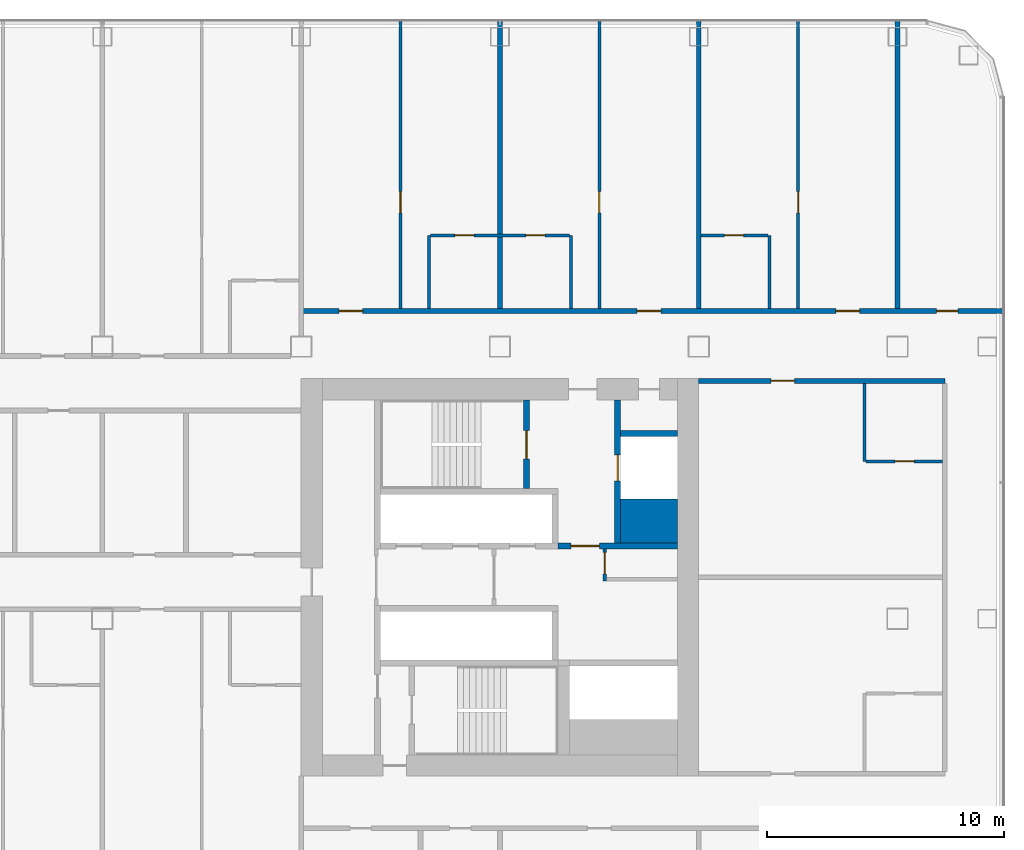
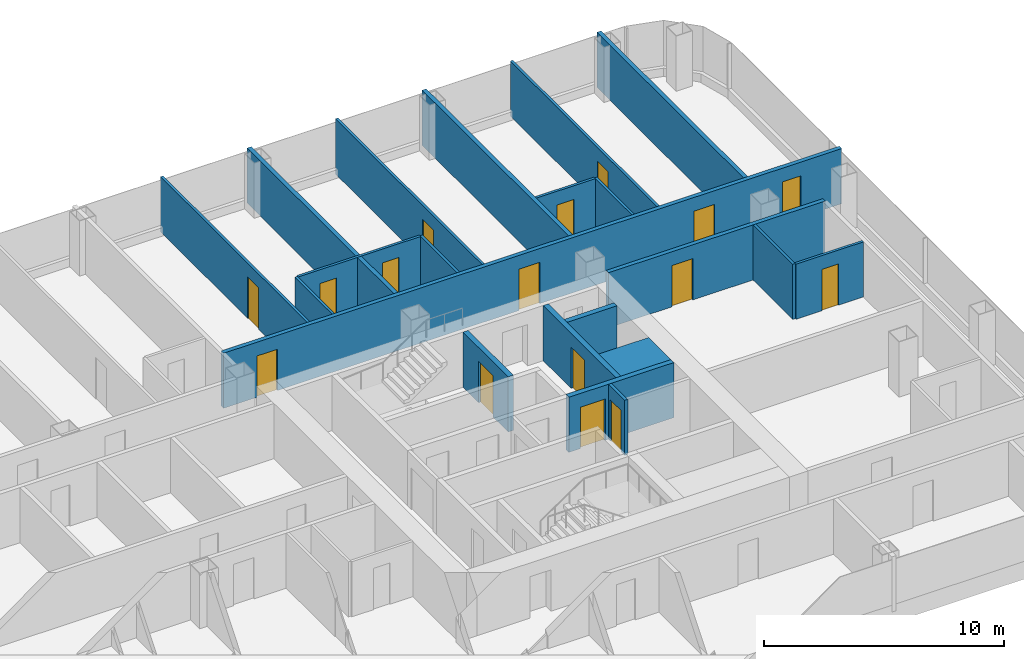
# One storey, part 20 of 29: 21 walls, 16 doors, 16 openings.
"""IFC4 building model written with IfcOpenShell, lengths in metres."""

from ifc_helpers import new_model, si_unit, direction, frame, frame_2d, origin, place, context, subcontext, project, spatial, rectangle, extrude, material, layer, layer_set, type_object, element, fill, save


model = new_model("IFC4")

# Units and contexts
model_context = context("Model", 3, precision=1e-05, world=origin(), true_north=direction((0.0, 1.0)))
body_context = subcontext(model_context, "Body", "Model", "MODEL_VIEW")
ifc_project = project(units=[si_unit("LENGTHUNIT", "METRE"), si_unit("AREAUNIT", "SQUARE_METRE"), si_unit("VOLUMEUNIT", "CUBIC_METRE"), si_unit("PLANEANGLEUNIT", "RADIAN"), si_unit("MASSUNIT", "GRAM", prefix="KILO")], contexts=[model_context])

# Site, building, storey
site_placement = place(None, origin())
site = spatial("IfcSite", under=ifc_project, at=site_placement, CompositionType="ELEMENT")
building_placement = place(site_placement, origin())
building = spatial("IfcBuilding", under=site, at=building_placement, Name="Hakoniwa Tower and Hamabe Station Hall", CompositionType="ELEMENT")
storey_placement = place(building_placement, frame((0.0, 0.0, 104.199951171875)))
storey = spatial("IfcBuildingStorey", under=building, at=storey_placement, Name="L29", CompositionType="ELEMENT", Elevation=104.199951171875)

# Wall, opening, door
ifc_material_1 = material(Name="Gypsum board partition", Category="gypsum")
ifc_layer_1 = layer(ifc_material_1, 0.125)
ifc_layer_set_1 = layer_set([ifc_layer_1], Name="Bathroom Partition 125")
wall_type_1 = type_object("IfcWallType", Name="Bathroom Partition 125", PredefinedType="PARTITIONING", material=ifc_layer_set_1)
wall_1_placement = place(storey_placement, frame((40.66259765625, 4.89990234375, 0.0), z_axis=(0.0, 0.0, 1.0), x_axis=(1.0, 0.0, 0.0)))
wall_1 = element("IfcWall", 1, at=wall_1_placement, inside=storey, type_object=wall_type_1, Name="GW-L29-016", PredefinedType="PARTITIONING", context=body_context, shape_type="SweptSolid", body=[
    extrude(rectangle(XDim=3.2373046875, YDim=0.125, at=frame_2d((1.61865234375, 0.0))), origin(), (0.0, 0.0, 1.0), 2.800048828125),
])
opening_1_placement = place(wall_1_placement, frame((1.237548828125, 0.0, 0.0)))
opening_1 = element("IfcOpeningElement", 2, at=opening_1_placement, cuts=wall_1, Name="Opening GD-G2E1-29", PredefinedType="OPENING", context=body_context, shape_type="SweptSolid", body=[
    extrude(rectangle(XDim=0.800048828125, YDim=2.10009765625, at=frame_2d((0.39990234375, 1.050048828125))), frame((0.0, 0.072509765625, 0.0), z_axis=(0.0, -1.0, 0.0), x_axis=(1.0, 0.0, 0.0)), (0.0, 0.0, 1.0), 0.14501953125),
])
ifc_material_2 = material(Name="Timber door leaf", Category="wood")
door_type_1 = type_object("IfcDoorType", Name="Bathroom Door 800", OperationType="SINGLE_SWING_LEFT", PredefinedType="DOOR", material=ifc_material_2)
door_1_placement = place(opening_1_placement, origin())
door_1 = element("IfcDoor", 3, at=door_1_placement, inside=storey, type_object=door_type_1, Name="Door GD-G2E1-29", OperationType="SINGLE_SWING_RIGHT", OverallHeight=2.10009765625, OverallWidth=0.800048828125, PredefinedType="DOOR", context=body_context, shape_type="SweptSolid", body=[
    extrude(rectangle(XDim=0.800048828125, YDim=2.10009765625, at=frame_2d((0.39990234375, 1.050048828125))), frame((0.0, 0.02490234375, 0.0), z_axis=(0.0, -1.0, 0.0), x_axis=(1.0, 0.0, 0.0)), (0.0, 0.0, 1.0), 0.050048828125),
])
fill(opening_1, door_1)

# Wall, openings, doors
wall_2_placement = place(storey_placement, frame((22.262451171875, 14.449951171875, 0.0), z_axis=(0.0, 0.0, 1.0), x_axis=(1.0, 0.0, 0.0)))
wall_2 = element("IfcWall", 4, at=wall_2_placement, inside=storey, type_object=wall_type_1, Name="GW-L29-027", PredefinedType="PARTITIONING", context=body_context, shape_type="SweptSolid", body=[
    extrude(rectangle(XDim=5.875, YDim=0.125, at=frame_2d((2.9375, 0.0))), origin(), (0.0, 0.0, 1.0), 2.800048828125),
])
opening_2_placement = place(wall_2_placement, frame((1.03759765625, 0.0, 0.0)))
opening_2 = element("IfcOpeningElement", 5, at=opening_2_placement, cuts=wall_2, Name="Opening GD-G2E1-54", PredefinedType="OPENING", context=body_context, shape_type="SweptSolid", body=[
    extrude(rectangle(XDim=0.800048828125, YDim=2.10009765625, at=frame_2d((0.39990234375, 1.050048828125))), frame((0.0, 0.072509765625, 0.0), z_axis=(0.0, -1.0, 0.0), x_axis=(1.0, 0.0, 0.0)), (0.0, 0.0, 1.0), 0.14501953125),
])
opening_3_placement = place(wall_2_placement, frame((4.03759765625, 0.0, 0.0)))
opening_3 = element("IfcOpeningElement", 6, at=opening_3_placement, cuts=wall_2, Name="Opening GD-G2E1-55", PredefinedType="OPENING", context=body_context, shape_type="SweptSolid", body=[
    extrude(rectangle(XDim=0.800048828125, YDim=2.10009765625, at=frame_2d((0.39990234375, 1.050048828125))), frame((0.0, 0.072509765625, 0.0), z_axis=(0.0, -1.0, 0.0), x_axis=(1.0, 0.0, 0.0)), (0.0, 0.0, 1.0), 0.14501953125),
])
door_2_placement = place(opening_2_placement, origin())
door_2 = element("IfcDoor", 7, at=door_2_placement, inside=storey, type_object=door_type_1, Name="Door GD-G2E1-54", OperationType="SINGLE_SWING_LEFT", OverallHeight=2.10009765625, OverallWidth=0.800048828125, PredefinedType="DOOR", context=body_context, shape_type="SweptSolid", body=[
    extrude(rectangle(XDim=0.800048828125, YDim=2.10009765625, at=frame_2d((0.39990234375, 1.050048828125))), frame((0.0, 0.02490234375, 0.0), z_axis=(0.0, -1.0, 0.0), x_axis=(1.0, 0.0, 0.0)), (0.0, 0.0, 1.0), 0.050048828125),
])
fill(opening_2, door_2)
door_3_placement = place(opening_3_placement, origin())
door_3 = element("IfcDoor", 8, at=door_3_placement, inside=storey, type_object=door_type_1, Name="Door GD-G2E1-55", OperationType="SINGLE_SWING_RIGHT", OverallHeight=2.10009765625, OverallWidth=0.800048828125, PredefinedType="DOOR", context=body_context, shape_type="SweptSolid", body=[
    extrude(rectangle(XDim=0.800048828125, YDim=2.10009765625, at=frame_2d((0.39990234375, 1.050048828125))), frame((0.0, 0.02490234375, 0.0), z_axis=(0.0, -1.0, 0.0), x_axis=(1.0, 0.0, 0.0)), (0.0, 0.0, 1.0), 0.050048828125),
])
fill(opening_3, door_3)

# Wall, opening, door
wall_3_placement = place(storey_placement, frame((33.699951171875, 14.449951171875, 0.0), z_axis=(0.0, 0.0, 1.0), x_axis=(1.0, 0.0, 0.0)))
wall_3 = element("IfcWall", 9, at=wall_3_placement, inside=storey, type_object=wall_type_1, Name="GW-L29-028", PredefinedType="PARTITIONING", context=body_context, shape_type="SweptSolid", body=[
    extrude(rectangle(XDim=2.837646484375, YDim=0.125, at=frame_2d((1.4189453125, 0.0))), origin(), (0.0, 0.0, 1.0), 2.800048828125),
])
opening_4_placement = place(wall_3_placement, frame((1.0, 0.0, 0.0)))
opening_4 = element("IfcOpeningElement", 10, at=opening_4_placement, cuts=wall_3, Name="Opening GD-G2E1-56", PredefinedType="OPENING", context=body_context, shape_type="SweptSolid", body=[
    extrude(rectangle(XDim=0.800048828125, YDim=2.10009765625, at=frame_2d((0.39990234375, 1.050048828125))), frame((0.0, 0.072509765625, 0.0), z_axis=(0.0, -1.0, 0.0), x_axis=(1.0, 0.0, 0.0)), (0.0, 0.0, 1.0), 0.14501953125),
])
door_4_placement = place(opening_4_placement, origin())
door_4 = element("IfcDoor", 11, at=door_4_placement, inside=storey, type_object=door_type_1, Name="Door GD-G2E1-56", OperationType="SINGLE_SWING_LEFT", OverallHeight=2.10009765625, OverallWidth=0.800048828125, PredefinedType="DOOR", context=body_context, shape_type="SweptSolid", body=[
    extrude(rectangle(XDim=0.800048828125, YDim=2.10009765625, at=frame_2d((0.39990234375, 1.050048828125))), frame((0.0, 0.02490234375, 0.0), z_axis=(0.0, -1.0, 0.0), x_axis=(1.0, 0.0, 0.0)), (0.0, 0.0, 1.0), 0.050048828125),
])
fill(opening_4, door_4)

# Walls
for number, where, z_axis, x_axis, name in (
    (12, (22.199951171875, 11.35009765625, 0.0), (0.0, 0.0, 1.0), (0.0, 1.0, 0.0), "GW-L29-078"),
    (13, (28.199951171875, 11.35009765625, 0.0), (0.0, 0.0, 1.0), (0.0, 1.0, 0.0), "GW-L29-081"),
    (14, (36.60009765625, 11.35009765625, 0.0), (0.0, 0.0, 1.0), (0.0, 1.0, 0.0), "GW-L29-085"),
):
    element("IfcWall", number, at=place(storey_placement, frame(where, z_axis=z_axis, x_axis=x_axis)), inside=storey, type_object=wall_type_1, Name=name, PredefinedType="PARTITIONING", context=body_context, shape_type="SweptSolid", body=[
        extrude(rectangle(XDim=3.099853515625, YDim=0.125, at=frame_2d((1.5498046875, 0.0))), origin(), (0.0, 0.0, 1.0), 2.800048828125),
    ])
wall_4_placement = place(storey_placement, frame((40.60009765625, 4.89990234375, 0.0), z_axis=(0.0, 0.0, 1.0), x_axis=(0.0, 1.0, 0.0)))
element("IfcWall", 15, at=wall_4_placement, inside=storey, type_object=wall_type_1, Name="GW-L29-088", PredefinedType="PARTITIONING", context=body_context, shape_type="SweptSolid", body=[
    extrude(rectangle(XDim=3.300048828125, YDim=0.125, at=frame_2d((1.64990234375, 0.0))), origin(), (0.0, 0.0, 1.0), 2.800048828125),
])

# Wall, opening, door
ifc_material_3 = material(Name="Gypsum board partition")
ifc_layer_2 = layer(ifc_material_3, 0.14990234375)
ifc_layer_set_2 = layer_set([ifc_layer_2], Name="CORE PARTITION 150 EI 60")
wall_type_2 = type_object("IfcWallType", Name="CORE PARTITION 150 EI 60", PredefinedType="PARTITIONING", material=ifc_layer_set_2)
wall_5_placement = place(storey_placement, frame((29.625, -0.14990234375, 0.0), z_axis=(0.0, 0.0, 1.0), x_axis=(0.0, 1.0, 0.0)))
wall_5 = element("IfcWall", 16, at=wall_5_placement, inside=storey, type_object=wall_type_2, Name="Core partition PW0 east", PredefinedType="PARTITIONING", context=body_context, shape_type="SweptSolid", body=[
    extrude(rectangle(XDim=1.349853515625, YDim=0.14990234375, at=frame_2d((0.6748046875, 0.0))), origin(), (0.0, 0.0, 1.0), 2.800048828125),
])
opening_5_placement = place(wall_5_placement, frame((0.300048828125, 0.0, 0.0)))
opening_5 = element("IfcOpeningElement", 17, at=opening_5_placement, cuts=wall_5, Name="Opening CD-E-RM1-9", PredefinedType="OPENING", context=body_context, shape_type="SweptSolid", body=[
    extrude(rectangle(XDim=0.89990234375, YDim=2.10009765625, at=frame_2d((0.449951171875, 1.050048828125))), frame((0.0, 0.0849609375, 0.0), z_axis=(0.0, -1.0, 0.0), x_axis=(1.0, 0.0, 0.0)), (0.0, 0.0, 1.0), 0.169921875),
])
ifc_material_4 = material(Name="Steel fire door", Category="steel")
door_type_2 = type_object("IfcDoorType", Name="CORE DOOR 900 FD30", OperationType="NOTDEFINED", PredefinedType="DOOR", material=ifc_material_4)
door_5_placement = place(opening_5_placement, origin())
door_5 = element("IfcDoor", 18, at=door_5_placement, inside=storey, type_object=door_type_2, Name="Store room door", OperationType="SINGLE_SWING_LEFT", OverallHeight=2.10009765625, OverallWidth=0.89990234375, PredefinedType="DOOR", context=body_context, shape_type="SweptSolid", body=[
    extrude(rectangle(XDim=0.89990234375, YDim=2.10009765625, at=frame_2d((0.449951171875, 1.050048828125))), frame((0.0, 0.02490234375, 0.0), z_axis=(0.0, -1.0, 0.0), x_axis=(1.0, 0.0, 0.0)), (0.0, 0.0, 1.0), 0.050048828125),
])
fill(opening_5, door_5)

# Wall
ifc_material_5 = material(Name="Concrete C72", Category="concrete")
ifc_layer_3 = layer(ifc_material_5, 1.85009765625)
ifc_layer_set_3 = layer_set([ifc_layer_3], Name="CORE WEB WALL 1850 C72")
wall_type_3 = type_object("IfcWallType", Name="CORE WEB WALL 1850 C72", PredefinedType="SHEAR", material=ifc_layer_set_3)
wall_6_placement = place(storey_placement, frame((30.300048828125, 2.375, 0.0), z_axis=(0.0, 0.0, 1.0), x_axis=(1.0, 0.0, 0.0)))
element("IfcWall", 19, at=wall_6_placement, inside=storey, type_object=wall_type_3, Name="Core wall CA east", PredefinedType="SHEAR", context=body_context, shape_type="SweptSolid", body=[
    extrude(rectangle(XDim=2.39990234375, YDim=1.85009765625, at=frame_2d((1.199951171875, 0.0))), origin(), (0.0, 0.0, 1.0), 2.800048828125),
])

# Wall, opening, door
ifc_material_6 = material(Name="Concrete C72", Category="concrete")
ifc_layer_4 = layer(ifc_material_6, 0.25)
ifc_layer_set_4 = layer_set([ifc_layer_4], Name="CORE WEB WALL 250 C72")
wall_type_4 = type_object("IfcWallType", Name="CORE WEB WALL 250 C72", PredefinedType="SHEAR", material=ifc_layer_set_4)
wall_7_placement = place(storey_placement, frame((26.324951171875, 3.75, 0.0), z_axis=(0.0, 0.0, 1.0), x_axis=(0.0, 1.0, 0.0)))
wall_7 = element("IfcWall", 20, at=wall_7_placement, inside=storey, type_object=wall_type_4, Name="Core wall NSE east", PredefinedType="SHEAR", context=body_context, shape_type="SweptSolid", body=[
    extrude(rectangle(XDim=3.75, YDim=0.25, at=frame_2d((1.875, 0.0))), origin(), (0.0, 0.0, 1.0), 2.800048828125),
])
opening_6_placement = place(wall_7_placement, frame((1.25, 0.0, 0.0)))
opening_6 = element("IfcOpeningElement", 21, at=opening_6_placement, cuts=wall_7, Name="Opening CD-E-SN-12", PredefinedType="OPENING", context=body_context, shape_type="SweptSolid", body=[
    extrude(rectangle(XDim=1.199951171875, YDim=2.10009765625, at=frame_2d((0.60009765625, 1.050048828125))), frame((0.0, 0.135009765625, 0.0), z_axis=(0.0, -1.0, 0.0), x_axis=(1.0, 0.0, 0.0)), (0.0, 0.0, 1.0), 0.27001953125),
])
ifc_material_7 = material(Name="Steel fire door", Category="steel")
door_type_3 = type_object("IfcDoorType", Name="CORE DOOR 1200 FD60", OperationType="DOUBLE_DOOR_SINGLE_SWING", PredefinedType="DOOR", material=ifc_material_7)
door_6_placement = place(opening_6_placement, origin())
door_6 = element("IfcDoor", 22, at=door_6_placement, inside=storey, type_object=door_type_3, Name="Escape stair door", OperationType="DOUBLE_DOOR_SINGLE_SWING", OverallHeight=2.10009765625, OverallWidth=1.199951171875, PredefinedType="DOOR", context=body_context, shape_type="SweptSolid", body=[
    extrude(rectangle(XDim=1.199951171875, YDim=2.10009765625, at=frame_2d((0.60009765625, 1.050048828125))), frame((0.0, 0.02490234375, 0.0), z_axis=(0.0, -1.0, 0.0), x_axis=(1.0, 0.0, 0.0)), (0.0, 0.0, 1.0), 0.050048828125),
])
fill(opening_6, door_6)

wall_8_placement = place(storey_placement, frame((27.64990234375, 1.324951171875, 0.0), z_axis=(0.0, 0.0, 1.0), x_axis=(1.0, 0.0, 0.0)))
wall_8 = element("IfcWall", 23, at=wall_8_placement, inside=storey, type_object=wall_type_4, Name="Core wall ELN east", PredefinedType="SHEAR", context=body_context, shape_type="SweptSolid", body=[
    extrude(rectangle(XDim=5.050048828125, YDim=0.25, at=frame_2d((2.52490234375, 0.0))), origin(), (0.0, 0.0, 1.0), 2.800048828125),
])
opening_7_placement = place(wall_8_placement, frame((0.550048828125, 0.0, 0.0)))
opening_7 = element("IfcOpeningElement", 24, at=opening_7_placement, cuts=wall_8, Name="Opening CD-E-FL-12", PredefinedType="OPENING", context=body_context, shape_type="SweptSolid", body=[
    extrude(rectangle(XDim=1.199951171875, YDim=2.10009765625, at=frame_2d((0.60009765625, 1.050048828125))), frame((0.0, 0.135009765625, 0.0), z_axis=(0.0, -1.0, 0.0), x_axis=(1.0, 0.0, 0.0)), (0.0, 0.0, 1.0), 0.27001953125),
])
door_7_placement = place(opening_7_placement, origin())
door_7 = element("IfcDoor", 25, at=door_7_placement, inside=storey, type_object=door_type_3, Name="Stair vestibule door to the fire-fighting lobby", OperationType="DOUBLE_DOOR_SINGLE_SWING", OverallHeight=2.10009765625, OverallWidth=1.199951171875, PredefinedType="DOOR", context=body_context, shape_type="SweptSolid", body=[
    extrude(rectangle(XDim=1.199951171875, YDim=2.10009765625, at=frame_2d((0.60009765625, 1.050048828125))), frame((0.0, 0.02490234375, 0.0), z_axis=(0.0, -1.0, 0.0), x_axis=(1.0, 0.0, 0.0)), (0.0, 0.0, 1.0), 0.050048828125),
])
fill(opening_7, door_7)

wall_9_placement = place(storey_placement, frame((30.175048828125, 1.449951171875, 0.0), z_axis=(0.0, 0.0, 1.0), x_axis=(0.0, 1.0, 0.0)))
wall_9 = element("IfcWall", 26, at=wall_9_placement, inside=storey, type_object=wall_type_4, Name="Core wall FFF east", PredefinedType="SHEAR", context=body_context, shape_type="SweptSolid", body=[
    extrude(rectangle(XDim=6.050048828125, YDim=0.25, at=frame_2d((3.02490234375, 0.0))), origin(), (0.0, 0.0, 1.0), 2.800048828125),
])
opening_8_placement = place(wall_9_placement, frame((2.625, 0.0, 0.0)))
opening_8 = element("IfcOpeningElement", 27, at=opening_8_placement, cuts=wall_9, Name="Opening LD-FF2", PredefinedType="OPENING", context=body_context, shape_type="SweptSolid", body=[
    extrude(rectangle(XDim=1.10009765625, YDim=2.10009765625, at=frame_2d((0.550048828125, 1.050048828125))), frame((0.0, 0.135009765625, 0.0), z_axis=(0.0, -1.0, 0.0), x_axis=(1.0, 0.0, 0.0)), (0.0, 0.0, 1.0), 0.27001953125),
])
ifc_material_8 = material(Name="Stainless steel SUS304", Category="steel")
door_type_4 = type_object("IfcDoorType", Name="LIFT LANDING DOOR 1100 FD60", OperationType="DOUBLE_DOOR_SLIDING", PredefinedType="DOOR", material=ifc_material_8)
door_8_placement = place(opening_8_placement, origin())
door_8 = element("IfcDoor", 28, at=door_8_placement, inside=storey, type_object=door_type_4, Name="Lift landing door FF2 L29", OperationType="DOUBLE_DOOR_SLIDING", OverallHeight=2.10009765625, OverallWidth=1.10009765625, PredefinedType="DOOR", context=body_context, shape_type="SweptSolid", body=[
    extrude(rectangle(XDim=1.10009765625, YDim=2.10009765625, at=frame_2d((0.550048828125, 1.050048828125))), frame((0.0, 0.02490234375, 0.0), z_axis=(0.0, -1.0, 0.0), x_axis=(1.0, 0.0, 0.0)), (0.0, 0.0, 1.0), 0.050048828125),
])
fill(opening_8, door_8)

# Wall
wall_10_placement = place(storey_placement, frame((30.300048828125, 6.074951171875, 0.0), z_axis=(0.0, 0.0, 1.0), x_axis=(1.0, 0.0, 0.0)))
element("IfcWall", 29, at=wall_10_placement, inside=storey, type_object=wall_type_4, Name="Core wall C2 east", PredefinedType="SHEAR", context=body_context, shape_type="SweptSolid", body=[
    extrude(rectangle(XDim=2.39990234375, YDim=0.25, at=frame_2d((1.199951171875, 0.0))), origin(), (0.0, 0.0, 1.0), 2.800048828125),
])

# Wall, opening, door
ifc_material_9 = material(Name="Fire-rated gypsum board partition", Category="gypsum")
ifc_layer_5 = layer(ifc_material_9, 0.199951171875)
ifc_layer_set_5 = layer_set([ifc_layer_5], Name="Corridor Wall 200")
wall_type_5 = type_object("IfcWallType", Name="Corridor Wall 200", PredefinedType="PARTITIONING", material=ifc_layer_set_5)
wall_11_placement = place(storey_placement, frame((33.60009765625, 8.300048828125, 0.0), z_axis=(0.0, 0.0, 1.0), x_axis=(1.0, 0.0, 0.0)))
wall_11 = element("IfcWall", 30, at=wall_11_placement, inside=storey, type_object=wall_type_5, Name="GW-L29-019", PredefinedType="PARTITIONING", context=body_context, shape_type="SweptSolid", body=[
    extrude(rectangle(XDim=10.39990234375, YDim=0.199951171875, at=frame_2d((5.199951171875, 0.0))), origin(), (0.0, 0.0, 1.0), 2.800048828125),
])
opening_9_placement = place(wall_11_placement, frame((3.050048828125, 0.0, 0.0)))
opening_9 = element("IfcOpeningElement", 31, at=opening_9_placement, cuts=wall_11, Name="Opening GD-G2E1-35", PredefinedType="OPENING", context=body_context, shape_type="SweptSolid", body=[
    extrude(rectangle(XDim=1.0, YDim=2.10009765625, at=frame_2d((0.5, 1.050048828125))), frame((0.0, 0.10986328125, 0.0), z_axis=(0.0, -1.0, 0.0), x_axis=(1.0, 0.0, 0.0)), (0.0, 0.0, 1.0), 0.219970703125),
])
ifc_material_10 = material(Name="Timber door leaf", Category="wood")
door_type_5 = type_object("IfcDoorType", Name="Guest Entrance Door 1000", OperationType="SINGLE_SWING_LEFT", PredefinedType="DOOR", material=ifc_material_10)
door_9_placement = place(opening_9_placement, origin())
door_9 = element("IfcDoor", 32, at=door_9_placement, inside=storey, type_object=door_type_5, Name="Door GD-G2E1-35", OperationType="SINGLE_SWING_RIGHT", OverallHeight=2.10009765625, OverallWidth=1.0, PredefinedType="DOOR", context=body_context, shape_type="SweptSolid", body=[
    extrude(rectangle(XDim=1.0, YDim=2.10009765625, at=frame_2d((0.5, 1.050048828125))), frame((0.0, 0.02490234375, 0.0), z_axis=(0.0, -1.0, 0.0), x_axis=(1.0, 0.0, 0.0)), (0.0, 0.0, 1.0), 0.050048828125),
])
fill(opening_9, door_9)

# Wall, openings, doors
wall_12_placement = place(storey_placement, frame((16.800048828125, 11.25, 0.0), z_axis=(0.0, 0.0, 1.0), x_axis=(1.0, 0.0, 0.0)))
wall_12 = element("IfcWall", 33, at=wall_12_placement, inside=storey, type_object=wall_type_5, Name="GW-L29-022", PredefinedType="PARTITIONING", context=body_context, shape_type="SweptSolid", body=[
    extrude(rectangle(XDim=29.699951171875, YDim=0.199951171875, at=frame_2d((14.85009765625, 0.0))), origin(), (0.0, 0.0, 1.0), 2.800048828125),
])
opening_10_placement = place(wall_12_placement, frame((1.60009765625, 0.0, 0.0)))
opening_10 = element("IfcOpeningElement", 34, at=opening_10_placement, cuts=wall_12, Name="Opening GD-G2E1-46", PredefinedType="OPENING", context=body_context, shape_type="SweptSolid", body=[
    extrude(rectangle(XDim=1.0, YDim=2.10009765625, at=frame_2d((0.5, 1.050048828125))), frame((0.0, 0.10986328125, 0.0), z_axis=(0.0, -1.0, 0.0), x_axis=(1.0, 0.0, 0.0)), (0.0, 0.0, 1.0), 0.219970703125),
])
opening_11_placement = place(wall_12_placement, frame((14.199951171875, 0.0, 0.0)))
opening_11 = element("IfcOpeningElement", 35, at=opening_11_placement, cuts=wall_12, Name="Opening GD-G2E1-47", PredefinedType="OPENING", context=body_context, shape_type="SweptSolid", body=[
    extrude(rectangle(XDim=1.0, YDim=2.10009765625, at=frame_2d((0.5, 1.050048828125))), frame((0.0, 0.10986328125, 0.0), z_axis=(0.0, -1.0, 0.0), x_axis=(1.0, 0.0, 0.0)), (0.0, 0.0, 1.0), 0.219970703125),
])
opening_12_placement = place(wall_12_placement, frame((22.60009765625, 0.0, 0.0)))
opening_12 = element("IfcOpeningElement", 36, at=opening_12_placement, cuts=wall_12, Name="Opening GD-G2E1-48", PredefinedType="OPENING", context=body_context, shape_type="SweptSolid", body=[
    extrude(rectangle(XDim=1.0, YDim=2.10009765625, at=frame_2d((0.5, 1.050048828125))), frame((0.0, 0.10986328125, 0.0), z_axis=(0.0, -1.0, 0.0), x_axis=(1.0, 0.0, 0.0)), (0.0, 0.0, 1.0), 0.219970703125),
])
opening_13_placement = place(wall_12_placement, frame((26.85009765625, 0.0, 0.0)))
opening_13 = element("IfcOpeningElement", 37, at=opening_13_placement, cuts=wall_12, Name="Opening GD-G2E1-49", PredefinedType="OPENING", context=body_context, shape_type="SweptSolid", body=[
    extrude(rectangle(XDim=0.89990234375, YDim=2.10009765625, at=frame_2d((0.449951171875, 1.050048828125))), frame((0.0, 0.10986328125, 0.0), z_axis=(0.0, -1.0, 0.0), x_axis=(1.0, 0.0, 0.0)), (0.0, 0.0, 1.0), 0.219970703125),
])
door_10_placement = place(opening_10_placement, origin())
door_10 = element("IfcDoor", 38, at=door_10_placement, inside=storey, type_object=door_type_5, Name="Door GD-G2E1-46", OperationType="SINGLE_SWING_LEFT", OverallHeight=2.10009765625, OverallWidth=1.0, PredefinedType="DOOR", context=body_context, shape_type="SweptSolid", body=[
    extrude(rectangle(XDim=1.0, YDim=2.10009765625, at=frame_2d((0.5, 1.050048828125))), frame((0.0, 0.02490234375, 0.0), z_axis=(0.0, -1.0, 0.0), x_axis=(1.0, 0.0, 0.0)), (0.0, 0.0, 1.0), 0.050048828125),
])
fill(opening_10, door_10)
door_11_placement = place(opening_11_placement, origin())
door_11 = element("IfcDoor", 39, at=door_11_placement, inside=storey, type_object=door_type_5, Name="Door GD-G2E1-47", OperationType="SINGLE_SWING_LEFT", OverallHeight=2.10009765625, OverallWidth=1.0, PredefinedType="DOOR", context=body_context, shape_type="SweptSolid", body=[
    extrude(rectangle(XDim=1.0, YDim=2.10009765625, at=frame_2d((0.5, 1.050048828125))), frame((0.0, 0.02490234375, 0.0), z_axis=(0.0, -1.0, 0.0), x_axis=(1.0, 0.0, 0.0)), (0.0, 0.0, 1.0), 0.050048828125),
])
fill(opening_11, door_11)
door_12_placement = place(opening_12_placement, origin())
door_12 = element("IfcDoor", 40, at=door_12_placement, inside=storey, type_object=door_type_5, Name="Door GD-G2E1-48", OperationType="SINGLE_SWING_RIGHT", OverallHeight=2.10009765625, OverallWidth=1.0, PredefinedType="DOOR", context=body_context, shape_type="SweptSolid", body=[
    extrude(rectangle(XDim=1.0, YDim=2.10009765625, at=frame_2d((0.5, 1.050048828125))), frame((0.0, 0.02490234375, 0.0), z_axis=(0.0, -1.0, 0.0), x_axis=(1.0, 0.0, 0.0)), (0.0, 0.0, 1.0), 0.050048828125),
])
fill(opening_12, door_12)
ifc_material_11 = material(Name="Timber door leaf", Category="wood")
door_type_6 = type_object("IfcDoorType", Name="Service Door 900", OperationType="SINGLE_SWING_LEFT", PredefinedType="DOOR", material=ifc_material_11)
door_13_placement = place(opening_13_placement, origin())
door_13 = element("IfcDoor", 41, at=door_13_placement, inside=storey, type_object=door_type_6, Name="Door GD-G2E1-49", OperationType="SINGLE_SWING_RIGHT", OverallHeight=2.10009765625, OverallWidth=0.89990234375, PredefinedType="DOOR", context=body_context, shape_type="SweptSolid", body=[
    extrude(rectangle(XDim=0.89990234375, YDim=2.10009765625, at=frame_2d((0.449951171875, 1.050048828125))), frame((0.0, 0.02490234375, 0.0), z_axis=(0.0, -1.0, 0.0), x_axis=(1.0, 0.0, 0.0)), (0.0, 0.0, 1.0), 0.050048828125),
])
fill(opening_13, door_13)

# Walls
ifc_material_12 = material(Name="Fire-rated gypsum board partition", Category="gypsum")
ifc_layer_6 = layer(ifc_material_12, 0.199951171875)
ifc_layer_set_6 = layer_set([ifc_layer_6], Name="Party Wall 200")
wall_type_6 = type_object("IfcWallType", Name="Party Wall 200", PredefinedType="PARTITIONING", material=ifc_layer_set_6)
for number, where, z_axis, x_axis, name in (
    (42, (25.199951171875, 11.35009765625, 0.0), (0.0, 0.0, 1.0), (0.0, 1.0, 0.0), "GW-L29-080"),
    (43, (33.60009765625, 11.35009765625, 0.0), (0.0, 0.0, 1.0), (0.0, 1.0, 0.0), "GW-L29-084"),
    (44, (42.0, 11.35009765625, 0.0), (0.0, 0.0, 1.0), (0.0, 1.0, 0.0), "GW-L29-090"),
):
    element("IfcWall", number, at=place(storey_placement, frame(where, z_axis=z_axis, x_axis=x_axis)), inside=storey, type_object=wall_type_6, Name=name, PredefinedType="PARTITIONING", context=body_context, shape_type="SweptSolid", body=[
        extrude(rectangle(XDim=12.199951171875, YDim=0.199951171875, at=frame_2d((6.10009765625, 0.0))), origin(), (0.0, 0.0, 1.0), 2.800048828125),
    ])

# Wall, opening, door
ifc_material_13 = material(Name="Gypsum board partition", Category="gypsum")
ifc_layer_7 = layer(ifc_material_13, 0.125)
ifc_layer_set_7 = layer_set([ifc_layer_7], Name="Room Partition 125")
wall_type_7 = type_object("IfcWallType", Name="Room Partition 125", PredefinedType="PARTITIONING", material=ifc_layer_set_7)
wall_13_placement = place(storey_placement, frame((21.0, 11.35009765625, 0.0), z_axis=(0.0, 0.0, 1.0), x_axis=(0.0, 1.0, 0.0)))
wall_13 = element("IfcWall", 45, at=wall_13_placement, inside=storey, type_object=wall_type_7, Name="GW-L29-076", PredefinedType="PARTITIONING", context=body_context, shape_type="SweptSolid", body=[
    extrude(rectangle(XDim=12.199951171875, YDim=0.125, at=frame_2d((6.10009765625, 0.0))), origin(), (0.0, 0.0, 1.0), 2.800048828125),
])
opening_14_placement = place(wall_13_placement, frame((4.050048828125, 0.0, 0.0)))
opening_14 = element("IfcOpeningElement", 46, at=opening_14_placement, cuts=wall_13, Name="Opening GD-G2E1-66", PredefinedType="OPENING", context=body_context, shape_type="SweptSolid", body=[
    extrude(rectangle(XDim=0.89990234375, YDim=2.10009765625, at=frame_2d((0.449951171875, 1.050048828125))), frame((0.0, 0.072509765625, 0.0), z_axis=(0.0, -1.0, 0.0), x_axis=(1.0, 0.0, 0.0)), (0.0, 0.0, 1.0), 0.14501953125),
])
ifc_material_14 = material(Name="Timber door leaf", Category="wood")
door_type_7 = type_object("IfcDoorType", Name="Suite Interior Door 900", OperationType="SINGLE_SWING_LEFT", PredefinedType="DOOR", material=ifc_material_14)
door_14_placement = place(opening_14_placement, origin())
door_14 = element("IfcDoor", 47, at=door_14_placement, inside=storey, type_object=door_type_7, Name="Door GD-G2E1-66", OperationType="SINGLE_SWING_RIGHT", OverallHeight=2.10009765625, OverallWidth=0.89990234375, PredefinedType="DOOR", context=body_context, shape_type="SweptSolid", body=[
    extrude(rectangle(XDim=0.89990234375, YDim=2.10009765625, at=frame_2d((0.449951171875, 1.050048828125))), frame((0.0, 0.02490234375, 0.0), z_axis=(0.0, -1.0, 0.0), x_axis=(1.0, 0.0, 0.0)), (0.0, 0.0, 1.0), 0.050048828125),
])
fill(opening_14, door_14)

wall_14_placement = place(storey_placement, frame((29.39990234375, 11.35009765625, 0.0), z_axis=(0.0, 0.0, 1.0), x_axis=(0.0, 1.0, 0.0)))
wall_14 = element("IfcWall", 48, at=wall_14_placement, inside=storey, type_object=wall_type_7, Name="GW-L29-082", PredefinedType="PARTITIONING", context=body_context, shape_type="SweptSolid", body=[
    extrude(rectangle(XDim=12.199951171875, YDim=0.125, at=frame_2d((6.10009765625, 0.0))), origin(), (0.0, 0.0, 1.0), 2.800048828125),
])
opening_15_placement = place(wall_14_placement, frame((4.050048828125, 0.0, 0.0)))
opening_15 = element("IfcOpeningElement", 49, at=opening_15_placement, cuts=wall_14, Name="Opening GD-G2E1-67", PredefinedType="OPENING", context=body_context, shape_type="SweptSolid", body=[
    extrude(rectangle(XDim=0.89990234375, YDim=2.10009765625, at=frame_2d((0.449951171875, 1.050048828125))), frame((0.0, 0.072509765625, 0.0), z_axis=(0.0, -1.0, 0.0), x_axis=(1.0, 0.0, 0.0)), (0.0, 0.0, 1.0), 0.14501953125),
])
door_15_placement = place(opening_15_placement, origin())
door_15 = element("IfcDoor", 50, at=door_15_placement, inside=storey, type_object=door_type_7, Name="Door GD-G2E1-67", OperationType="SINGLE_SWING_RIGHT", OverallHeight=2.10009765625, OverallWidth=0.89990234375, PredefinedType="DOOR", context=body_context, shape_type="SweptSolid", body=[
    extrude(rectangle(XDim=0.89990234375, YDim=2.10009765625, at=frame_2d((0.449951171875, 1.050048828125))), frame((0.0, 0.02490234375, 0.0), z_axis=(0.0, -1.0, 0.0), x_axis=(1.0, 0.0, 0.0)), (0.0, 0.0, 1.0), 0.050048828125),
])
fill(opening_15, door_15)

wall_15_placement = place(storey_placement, frame((37.800048828125, 11.35009765625, 0.0), z_axis=(0.0, 0.0, 1.0), x_axis=(0.0, 1.0, 0.0)))
wall_15 = element("IfcWall", 51, at=wall_15_placement, inside=storey, type_object=wall_type_7, Name="GW-L29-086", PredefinedType="PARTITIONING", context=body_context, shape_type="SweptSolid", body=[
    extrude(rectangle(XDim=12.199951171875, YDim=0.125, at=frame_2d((6.10009765625, 0.0))), origin(), (0.0, 0.0, 1.0), 2.800048828125),
])
opening_16_placement = place(wall_15_placement, frame((4.050048828125, 0.0, 0.0)))
opening_16 = element("IfcOpeningElement", 52, at=opening_16_placement, cuts=wall_15, Name="Opening GD-G2E1-68", PredefinedType="OPENING", context=body_context, shape_type="SweptSolid", body=[
    extrude(rectangle(XDim=0.89990234375, YDim=2.10009765625, at=frame_2d((0.449951171875, 1.050048828125))), frame((0.0, 0.072509765625, 0.0), z_axis=(0.0, -1.0, 0.0), x_axis=(1.0, 0.0, 0.0)), (0.0, 0.0, 1.0), 0.14501953125),
])
door_16_placement = place(opening_16_placement, origin())
door_16 = element("IfcDoor", 53, at=door_16_placement, inside=storey, type_object=door_type_7, Name="Door GD-G2E1-68", OperationType="SINGLE_SWING_LEFT", OverallHeight=2.10009765625, OverallWidth=0.89990234375, PredefinedType="DOOR", context=body_context, shape_type="SweptSolid", body=[
    extrude(rectangle(XDim=0.89990234375, YDim=2.10009765625, at=frame_2d((0.449951171875, 1.050048828125))), frame((0.0, 0.02490234375, 0.0), z_axis=(0.0, -1.0, 0.0), x_axis=(1.0, 0.0, 0.0)), (0.0, 0.0, 1.0), 0.050048828125),
])
fill(opening_16, door_16)

save(model, "model.ifc")
